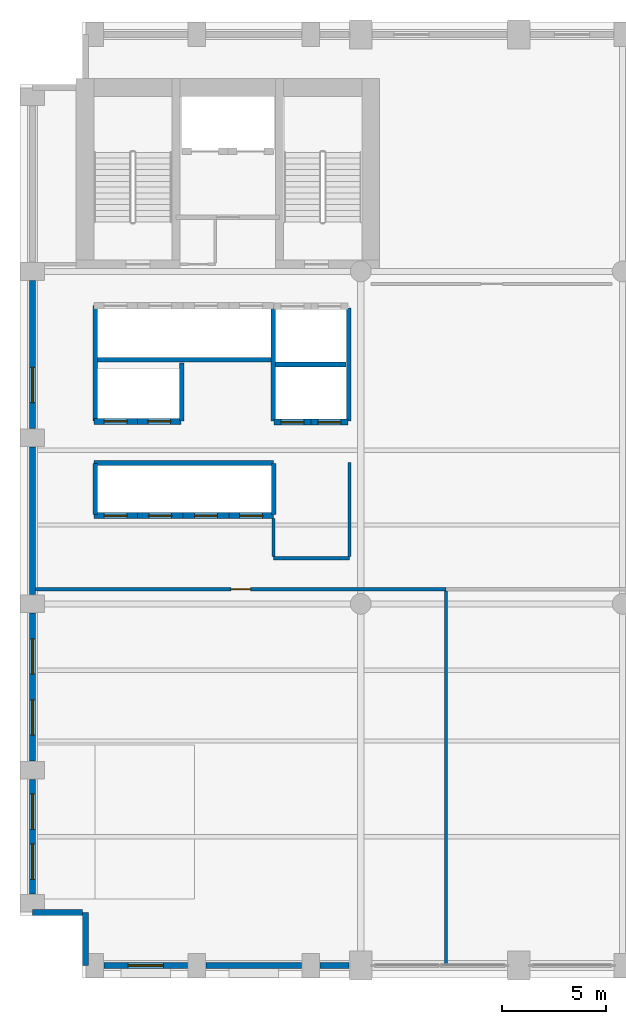
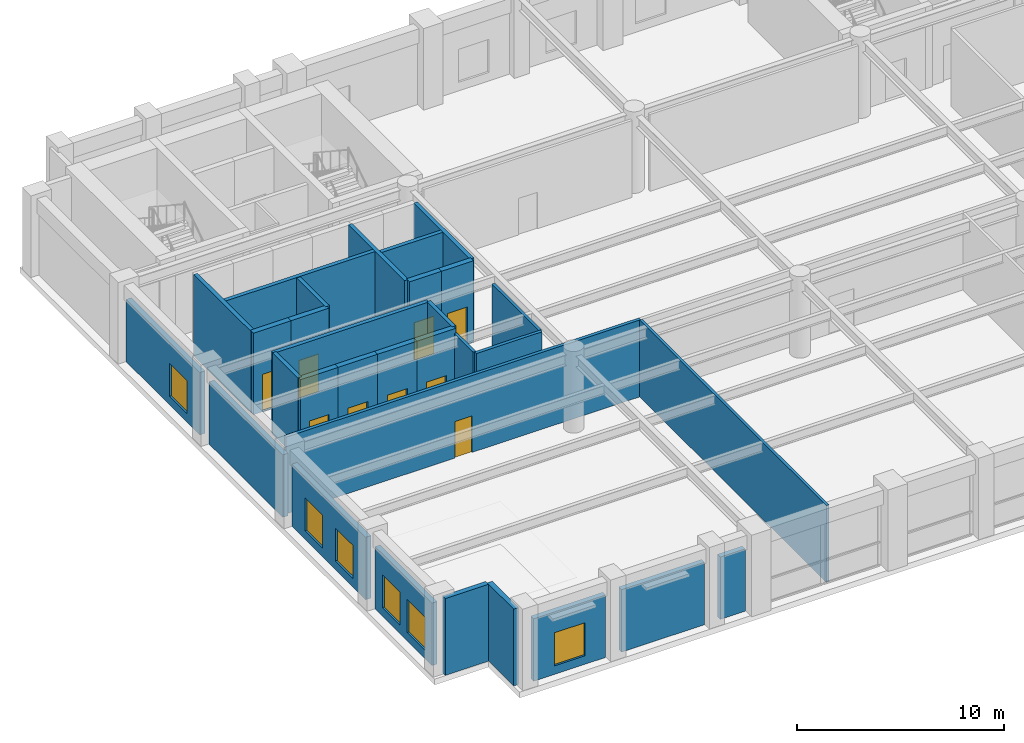
# One storey, part 4 of 10: 31 walls, 9 doors, 6 windows, 15 openings.
"""IFC4 building model written with IfcOpenShell, lengths in metres."""

from ifc_helpers import new_model, si_unit, direction, frame, frame_2d, origin, place, context, subcontext, project, spatial, rectangle, extrude, material, layer, layer_set, type_object, element, fill, save


model = new_model("IFC4")

# Units and contexts
model_context = context("Model", 3, precision=1e-05, world=origin(), true_north=direction((0.0, 1.0)))
body_context = subcontext(model_context, "Body", "Model", "MODEL_VIEW")
ifc_project = project(units=[si_unit("LENGTHUNIT", "METRE"), si_unit("AREAUNIT", "SQUARE_METRE"), si_unit("VOLUMEUNIT", "CUBIC_METRE"), si_unit("PLANEANGLEUNIT", "RADIAN"), si_unit("MASSUNIT", "GRAM", prefix="KILO")], contexts=[model_context])

# Site, building, storey
site_placement = place(None, origin())
site = spatial("IfcSite", under=ifc_project, at=site_placement, CompositionType="ELEMENT")
building_placement = place(site_placement, origin())
building = spatial("IfcBuilding", under=site, at=building_placement, Name="Sulina Concourse Tower", CompositionType="ELEMENT")
storey_placement = place(building_placement, frame((0.0, 0.0, 87.800048828125)))
storey = spatial("IfcBuildingStorey", under=building, at=storey_placement, Name="L21", CompositionType="ELEMENT", Elevation=87.800048828125)

# Walls
ifc_material_1 = material(Name="Concrete C50/60", Category="concrete")
ifc_layer_1 = layer(ifc_material_1, 0.219970703125)
ifc_layer_set_1 = layer_set([ifc_layer_1], Name="Concrete C50/60")
wall_type_1 = type_object("IfcWallType", Name="Core Lift Hoistway Divider Wall 220mm", PredefinedType="SOLIDWALL", material=ifc_layer_set_1)
wall_1_placement = place(storey_placement, frame((3.550048828125, 29.75, 0.0), z_axis=(0.0, 0.0, 1.0), x_axis=(1.0, 0.0, 0.0)))
element("IfcWall", 1, at=wall_1_placement, inside=storey, type_object=wall_type_1, Name="L21 shaft divider wall HW-LP3-S", PredefinedType="SOLIDWALL", context=body_context, shape_type="SweptSolid", body=[
    extrude(rectangle(XDim=8.64990234375, YDim=0.219970703125, at=frame_2d((4.324951171875, 0.0))), origin(), (0.0, 0.0, 1.0), 4.800048828125),
])
wall_2_placement = place(storey_placement, frame((3.6298828125, 26.800048828125, 0.0), z_axis=(0.0, 0.0, 1.0), x_axis=(0.0, 1.0, 0.0)))
element("IfcWall", 2, at=wall_2_placement, inside=storey, type_object=wall_type_1, Name="L21 shaft divider wall HW-LP3-W", PredefinedType="SOLIDWALL", context=body_context, shape_type="SweptSolid", body=[
    extrude(rectangle(XDim=5.550048828125, YDim=0.219970703125, at=frame_2d((2.77490234375, 0.0))), origin(), (0.0, 0.0, 1.0), 4.800048828125),
])
wall_3_placement = place(storey_placement, frame((7.780029296875, 26.800048828125, 0.0), z_axis=(0.0, 0.0, 1.0), x_axis=(0.0, 1.0, 0.0)))
element("IfcWall", 3, at=wall_3_placement, inside=storey, type_object=wall_type_1, Name="L21 shaft divider wall HW-EXP-E", PredefinedType="SOLIDWALL", context=body_context, shape_type="SweptSolid", body=[
    extrude(rectangle(XDim=2.800048828125, YDim=0.219970703125, at=frame_2d((1.39990234375, 0.0))), origin(), (0.0, 0.0, 1.0), 4.800048828125),
])
for number, where, z_axis, x_axis, name in (
    (4, (12.179931640625, 26.800048828125, 0.0), (0.0, 0.0, 1.0), (0.0, 1.0, 0.0), "L21 shaft divider wall HW-LP2-W"),
    (5, (15.820068359375, 26.800048828125, 0.0), (0.0, 0.0, 1.0), (0.0, 1.0, 0.0), "L21 shaft divider wall HW-LP2-E"),
):
    element("IfcWall", number, at=place(storey_placement, frame(where, z_axis=z_axis, x_axis=x_axis)), inside=storey, type_object=wall_type_1, Name=name, PredefinedType="SOLIDWALL", context=body_context, shape_type="SweptSolid", body=[
        extrude(rectangle(XDim=5.449951171875, YDim=0.219970703125, at=frame_2d((2.72509765625, 0.0))), origin(), (0.0, 0.0, 1.0), 4.800048828125),
    ])
wall_4_placement = place(storey_placement, frame((12.300048828125, 29.52001953125, 0.0), z_axis=(0.0, 0.0, 1.0), x_axis=(1.0, 0.0, 0.0)))
element("IfcWall", 6, at=wall_4_placement, inside=storey, type_object=wall_type_1, Name="L21 shaft divider wall HW-LP2-M", PredefinedType="SOLIDWALL", context=body_context, shape_type="SweptSolid", body=[
    extrude(rectangle(XDim=3.39990234375, YDim=0.219970703125, at=frame_2d((1.699951171875, 0.0))), origin(), (0.0, 0.0, 1.0), 4.800048828125),
])
wall_5_placement = place(storey_placement, frame((3.550048828125, 24.780029296875, 0.0), z_axis=(0.0, 0.0, 1.0), x_axis=(1.0, 0.0, 0.0)))
element("IfcWall", 7, at=wall_5_placement, inside=storey, type_object=wall_type_1, Name="L21 shaft divider wall HW-LP1-N", PredefinedType="SOLIDWALL", context=body_context, shape_type="SweptSolid", body=[
    extrude(rectangle(XDim=8.64990234375, YDim=0.219970703125, at=frame_2d((4.324951171875, 0.0))), origin(), (0.0, 0.0, 1.0), 4.800048828125),
])
for number, where, z_axis, x_axis, name in (
    (8, (3.6298828125, 22.300048828125, 0.0), (0.0, 0.0, 1.0), (0.0, 1.0, 0.0), "L21 shaft divider wall HW-LP1-W"),
    (9, (12.219970703125, 22.300048828125, 0.0), (0.0, 0.0, 1.0), (0.0, 1.0, 0.0), "L21 shaft divider wall HW-LP1-E"),
):
    element("IfcWall", number, at=place(storey_placement, frame(where, z_axis=z_axis, x_axis=x_axis)), inside=storey, type_object=wall_type_1, Name=name, PredefinedType="SOLIDWALL", context=body_context, shape_type="SweptSolid", body=[
        extrude(rectangle(XDim=2.449951171875, YDim=0.219970703125, at=frame_2d((1.22509765625, 0.0))), origin(), (0.0, 0.0, 1.0), 4.800048828125),
    ])

# Wall, opening, door
ifc_material_2 = material(Name="Concrete C50/60", Category="concrete")
ifc_layer_2 = layer(ifc_material_2, 0.300048828125)
ifc_layer_set_2 = layer_set([ifc_layer_2], Name="Concrete C50/60")
wall_type_2 = type_object("IfcWallType", Name="Core Lift Hoistway Wall 300mm", PredefinedType="SOLIDWALL", material=ifc_layer_set_2)
wall_6_placement = place(storey_placement, frame((5.64990234375, 22.25, 0.0), z_axis=(0.0, 0.0, 1.0), x_axis=(-1.0, 0.0, 0.0)))
wall_6 = element("IfcWall", 10, at=wall_6_placement, inside=storey, type_object=wall_type_2, Name="L21 hoistway enclosure wall LP-01", PredefinedType="SOLIDWALL", context=body_context, shape_type="SweptSolid", body=[
    extrude(rectangle(XDim=2.099853515625, YDim=0.300048828125, at=frame_2d((1.0498046875, 0.0))), origin(), (0.0, 0.0, 1.0), 4.800048828125),
])
opening_1_placement = place(wall_6_placement, frame((0.5, 0.0, 0.0)))
opening_1 = element("IfcOpeningElement", 11, at=opening_1_placement, cuts=wall_6, Name="Opening LD-01", PredefinedType="OPENING", context=body_context, shape_type="SweptSolid", body=[
    extrude(rectangle(XDim=1.10009765625, YDim=2.199951171875, at=frame_2d((0.550048828125, 1.10009765625))), frame((0.0, 0.159912109375, 0.0), z_axis=(0.0, -1.0, 0.0), x_axis=(1.0, 0.0, 0.0)), (0.0, 0.0, 1.0), 0.320068359375),
])
ifc_material_3 = material(Name="Stainless steel lift landing door", Category="steel")
ifc_layer_3 = layer(ifc_material_3, 0.050048828125)
ifc_layer_set_3 = layer_set([ifc_layer_3], Name="Stainless steel lift landing door")
door_type_1 = type_object("IfcDoorType", Name="Passenger Lift Sliding Landing Door 1100x2200", OperationType="SLIDING_TO_LEFT", PredefinedType="DOOR", material=ifc_layer_set_3)
door_1_placement = place(opening_1_placement, origin())
door_1 = element("IfcDoor", 12, at=door_1_placement, inside=storey, type_object=door_type_1, Name="L21 lift landing sliding door LP-01", OperationType="SLIDING_TO_LEFT", OverallHeight=2.199951171875, OverallWidth=1.10009765625, PredefinedType="DOOR", context=body_context, shape_type="SweptSolid", body=[
    extrude(rectangle(XDim=1.10009765625, YDim=2.199951171875, at=frame_2d((0.550048828125, 1.10009765625))), frame((0.0, 0.02490234375, 0.0), z_axis=(0.0, -1.0, 0.0), x_axis=(1.0, 0.0, 0.0)), (0.0, 0.0, 1.0), 0.050048828125),
])
fill(opening_1, door_1)

wall_7_placement = place(storey_placement, frame((7.85009765625, 22.25, 0.0), z_axis=(0.0, 0.0, 1.0), x_axis=(-1.0, 0.0, 0.0)))
wall_7 = element("IfcWall", 13, at=wall_7_placement, inside=storey, type_object=wall_type_2, Name="L21 hoistway enclosure wall LP-02", PredefinedType="SOLIDWALL", context=body_context, shape_type="SweptSolid", body=[
    extrude(rectangle(XDim=2.2001953125, YDim=0.300048828125, at=frame_2d((1.10009765625, 0.0))), origin(), (0.0, 0.0, 1.0), 4.800048828125),
])
opening_2_placement = place(wall_7_placement, frame((0.550048828125, 0.0, 0.0)))
opening_2 = element("IfcOpeningElement", 14, at=opening_2_placement, cuts=wall_7, Name="Opening LD-01", PredefinedType="OPENING", context=body_context, shape_type="SweptSolid", body=[
    extrude(rectangle(XDim=1.10009765625, YDim=2.199951171875, at=frame_2d((0.550048828125, 1.10009765625))), frame((0.0, 0.159912109375, 0.0), z_axis=(0.0, -1.0, 0.0), x_axis=(1.0, 0.0, 0.0)), (0.0, 0.0, 1.0), 0.320068359375),
])
door_2_placement = place(opening_2_placement, origin())
door_2 = element("IfcDoor", 15, at=door_2_placement, inside=storey, type_object=door_type_1, Name="L21 lift landing sliding door LP-02", OperationType="SLIDING_TO_RIGHT", OverallHeight=2.199951171875, OverallWidth=1.10009765625, PredefinedType="DOOR", context=body_context, shape_type="SweptSolid", body=[
    extrude(rectangle(XDim=1.10009765625, YDim=2.199951171875, at=frame_2d((0.550048828125, 1.10009765625))), frame((0.0, 0.02490234375, 0.0), z_axis=(0.0, -1.0, 0.0), x_axis=(1.0, 0.0, 0.0)), (0.0, 0.0, 1.0), 0.050048828125),
])
fill(opening_2, door_2)

wall_8_placement = place(storey_placement, frame((10.050048828125, 22.25, 0.0), z_axis=(0.0, 0.0, 1.0), x_axis=(-1.0, 0.0, 0.0)))
wall_8 = element("IfcWall", 16, at=wall_8_placement, inside=storey, type_object=wall_type_2, Name="L21 hoistway enclosure wall LP-03", PredefinedType="SOLIDWALL", context=body_context, shape_type="SweptSolid", body=[
    extrude(rectangle(XDim=2.199951171875, YDim=0.300048828125, at=frame_2d((1.10009765625, 0.0))), origin(), (0.0, 0.0, 1.0), 4.800048828125),
])
opening_3_placement = place(wall_8_placement, frame((0.550048828125, 0.0, 0.0)))
opening_3 = element("IfcOpeningElement", 17, at=opening_3_placement, cuts=wall_8, Name="Opening LD-01", PredefinedType="OPENING", context=body_context, shape_type="SweptSolid", body=[
    extrude(rectangle(XDim=1.10009765625, YDim=2.199951171875, at=frame_2d((0.550048828125, 1.10009765625))), frame((0.0, 0.159912109375, 0.0), z_axis=(0.0, -1.0, 0.0), x_axis=(1.0, 0.0, 0.0)), (0.0, 0.0, 1.0), 0.320068359375),
])
door_3_placement = place(opening_3_placement, origin())
door_3 = element("IfcDoor", 18, at=door_3_placement, inside=storey, type_object=door_type_1, Name="L21 lift landing sliding door LP-03", OperationType="SLIDING_TO_LEFT", OverallHeight=2.199951171875, OverallWidth=1.10009765625, PredefinedType="DOOR", context=body_context, shape_type="SweptSolid", body=[
    extrude(rectangle(XDim=1.10009765625, YDim=2.199951171875, at=frame_2d((0.550048828125, 1.10009765625))), frame((0.0, 0.02490234375, 0.0), z_axis=(0.0, -1.0, 0.0), x_axis=(1.0, 0.0, 0.0)), (0.0, 0.0, 1.0), 0.050048828125),
])
fill(opening_3, door_3)

wall_9_placement = place(storey_placement, frame((12.199951171875, 22.25, 0.0), z_axis=(0.0, 0.0, 1.0), x_axis=(-1.0, 0.0, 0.0)))
wall_9 = element("IfcWall", 19, at=wall_9_placement, inside=storey, type_object=wall_type_2, Name="L21 hoistway enclosure wall LP-04", PredefinedType="SOLIDWALL", context=body_context, shape_type="SweptSolid", body=[
    extrude(rectangle(XDim=2.14990234375, YDim=0.300048828125, at=frame_2d((1.074951171875, 0.0))), origin(), (0.0, 0.0, 1.0), 4.800048828125),
])
opening_4_placement = place(wall_9_placement, frame((0.52490234375, 0.0, 0.0)))
opening_4 = element("IfcOpeningElement", 20, at=opening_4_placement, cuts=wall_9, Name="Opening LD-01", PredefinedType="OPENING", context=body_context, shape_type="SweptSolid", body=[
    extrude(rectangle(XDim=1.10009765625, YDim=2.199951171875, at=frame_2d((0.550048828125, 1.10009765625))), frame((0.0, 0.159912109375, 0.0), z_axis=(0.0, -1.0, 0.0), x_axis=(1.0, 0.0, 0.0)), (0.0, 0.0, 1.0), 0.320068359375),
])
door_4_placement = place(opening_4_placement, origin())
door_4 = element("IfcDoor", 21, at=door_4_placement, inside=storey, type_object=door_type_1, Name="L21 lift landing sliding door LP-04", OperationType="SLIDING_TO_RIGHT", OverallHeight=2.199951171875, OverallWidth=1.10009765625, PredefinedType="DOOR", context=body_context, shape_type="SweptSolid", body=[
    extrude(rectangle(XDim=1.10009765625, YDim=2.199951171875, at=frame_2d((0.550048828125, 1.10009765625))), frame((0.0, 0.02490234375, 0.0), z_axis=(0.0, -1.0, 0.0), x_axis=(1.0, 0.0, 0.0)), (0.0, 0.0, 1.0), 0.050048828125),
])
fill(opening_4, door_4)

wall_10_placement = place(storey_placement, frame((14.0, 26.75, 0.0), z_axis=(0.0, 0.0, 1.0), x_axis=(-1.0, 0.0, 0.0)))
wall_10 = element("IfcWall", 22, at=wall_10_placement, inside=storey, type_object=wall_type_2, Name="L21 hoistway enclosure wall LP-05", PredefinedType="SOLIDWALL", context=body_context, shape_type="SweptSolid", body=[
    extrude(rectangle(XDim=1.780029296875, YDim=0.300048828125, at=frame_2d((0.89013671875, 0.0))), origin(), (0.0, 0.0, 1.0), 4.800048828125),
])
opening_5_placement = place(wall_10_placement, frame((0.340087890625, 0.0, 0.0)))
opening_5 = element("IfcOpeningElement", 23, at=opening_5_placement, cuts=wall_10, Name="Opening LD-01", PredefinedType="OPENING", context=body_context, shape_type="SweptSolid", body=[
    extrude(rectangle(XDim=1.10009765625, YDim=2.199951171875, at=frame_2d((0.550048828125, 1.10009765625))), frame((0.0, 0.159912109375, 0.0), z_axis=(0.0, -1.0, 0.0), x_axis=(1.0, 0.0, 0.0)), (0.0, 0.0, 1.0), 0.320068359375),
])
door_5_placement = place(opening_5_placement, origin())
door_5 = element("IfcDoor", 24, at=door_5_placement, inside=storey, type_object=door_type_1, Name="L21 lift landing sliding door LP-05", OperationType="SLIDING_TO_LEFT", OverallHeight=2.199951171875, OverallWidth=1.10009765625, PredefinedType="DOOR", context=body_context, shape_type="SweptSolid", body=[
    extrude(rectangle(XDim=1.10009765625, YDim=2.199951171875, at=frame_2d((0.550048828125, 1.10009765625))), frame((0.0, 0.02490234375, 0.0), z_axis=(0.0, -1.0, 0.0), x_axis=(1.0, 0.0, 0.0)), (0.0, 0.0, 1.0), 0.050048828125),
])
fill(opening_5, door_5)

wall_11_placement = place(storey_placement, frame((15.780029296875, 26.75, 0.0), z_axis=(0.0, 0.0, 1.0), x_axis=(-1.0, 0.0, 0.0)))
wall_11 = element("IfcWall", 25, at=wall_11_placement, inside=storey, type_object=wall_type_2, Name="L21 hoistway enclosure wall LP-06", PredefinedType="SOLIDWALL", context=body_context, shape_type="SweptSolid", body=[
    extrude(rectangle(XDim=1.780029296875, YDim=0.300048828125, at=frame_2d((0.89013671875, 0.0))), origin(), (0.0, 0.0, 1.0), 4.800048828125),
])
opening_6_placement = place(wall_11_placement, frame((0.340087890625, 0.0, 0.0)))
opening_6 = element("IfcOpeningElement", 26, at=opening_6_placement, cuts=wall_11, Name="Opening LD-01", PredefinedType="OPENING", context=body_context, shape_type="SweptSolid", body=[
    extrude(rectangle(XDim=1.10009765625, YDim=2.199951171875, at=frame_2d((0.550048828125, 1.10009765625))), frame((0.0, 0.159912109375, 0.0), z_axis=(0.0, -1.0, 0.0), x_axis=(1.0, 0.0, 0.0)), (0.0, 0.0, 1.0), 0.320068359375),
])
door_6_placement = place(opening_6_placement, origin())
door_6 = element("IfcDoor", 27, at=door_6_placement, inside=storey, type_object=door_type_1, Name="L21 lift landing sliding door LP-06", OperationType="SLIDING_TO_RIGHT", OverallHeight=2.199951171875, OverallWidth=1.10009765625, PredefinedType="DOOR", context=body_context, shape_type="SweptSolid", body=[
    extrude(rectangle(XDim=1.10009765625, YDim=2.199951171875, at=frame_2d((0.550048828125, 1.10009765625))), frame((0.0, 0.02490234375, 0.0), z_axis=(0.0, -1.0, 0.0), x_axis=(1.0, 0.0, 0.0)), (0.0, 0.0, 1.0), 0.050048828125),
])
fill(opening_6, door_6)

wall_12_placement = place(storey_placement, frame((5.64990234375, 26.780029296875, 0.0), z_axis=(0.0, 0.0, 1.0), x_axis=(-1.0, 0.0, 0.0)))
wall_12 = element("IfcWall", 28, at=wall_12_placement, inside=storey, type_object=wall_type_2, Name="L21 hoistway enclosure wall EXP-1", PredefinedType="SOLIDWALL", context=body_context, shape_type="SweptSolid", body=[
    extrude(rectangle(XDim=2.099853515625, YDim=0.300048828125, at=frame_2d((1.0498046875, 0.0))), origin(), (0.0, 0.0, 1.0), 4.800048828125),
])
opening_7_placement = place(wall_12_placement, frame((0.5, 0.0, 0.0)))
opening_7 = element("IfcOpeningElement", 29, at=opening_7_placement, cuts=wall_12, Name="Opening LD-01", PredefinedType="OPENING", context=body_context, shape_type="SweptSolid", body=[
    extrude(rectangle(XDim=1.10009765625, YDim=2.199951171875, at=frame_2d((0.550048828125, 1.10009765625))), frame((0.0, 0.159912109375, 0.0), z_axis=(0.0, -1.0, 0.0), x_axis=(1.0, 0.0, 0.0)), (0.0, 0.0, 1.0), 0.320068359375),
])
door_7_placement = place(opening_7_placement, origin())
door_7 = element("IfcDoor", 30, at=door_7_placement, inside=storey, type_object=door_type_1, Name="L21 lift landing sliding door EXP-1", OperationType="SLIDING_TO_LEFT", OverallHeight=2.199951171875, OverallWidth=1.10009765625, PredefinedType="DOOR", context=body_context, shape_type="SweptSolid", body=[
    extrude(rectangle(XDim=1.10009765625, YDim=2.199951171875, at=frame_2d((0.550048828125, 1.10009765625))), frame((0.0, 0.02490234375, 0.0), z_axis=(0.0, -1.0, 0.0), x_axis=(1.0, 0.0, 0.0)), (0.0, 0.0, 1.0), 0.050048828125),
])
fill(opening_7, door_7)

wall_13_placement = place(storey_placement, frame((7.75, 26.780029296875, 0.0), z_axis=(0.0, 0.0, 1.0), x_axis=(-1.0, 0.0, 0.0)))
wall_13 = element("IfcWall", 31, at=wall_13_placement, inside=storey, type_object=wall_type_2, Name="L21 hoistway enclosure wall EXP-2", PredefinedType="SOLIDWALL", context=body_context, shape_type="SweptSolid", body=[
    extrude(rectangle(XDim=2.10009765625, YDim=0.300048828125, at=frame_2d((1.050048828125, 0.0))), origin(), (0.0, 0.0, 1.0), 4.800048828125),
])
opening_8_placement = place(wall_13_placement, frame((0.5, 0.0, 0.0)))
opening_8 = element("IfcOpeningElement", 32, at=opening_8_placement, cuts=wall_13, Name="Opening LD-01", PredefinedType="OPENING", context=body_context, shape_type="SweptSolid", body=[
    extrude(rectangle(XDim=1.10009765625, YDim=2.199951171875, at=frame_2d((0.550048828125, 1.10009765625))), frame((0.0, 0.159912109375, 0.0), z_axis=(0.0, -1.0, 0.0), x_axis=(1.0, 0.0, 0.0)), (0.0, 0.0, 1.0), 0.320068359375),
])
door_8_placement = place(opening_8_placement, origin())
door_8 = element("IfcDoor", 33, at=door_8_placement, inside=storey, type_object=door_type_1, Name="L21 lift landing sliding door EXP-2", OperationType="SLIDING_TO_RIGHT", OverallHeight=2.199951171875, OverallWidth=1.10009765625, PredefinedType="DOOR", context=body_context, shape_type="SweptSolid", body=[
    extrude(rectangle(XDim=1.10009765625, YDim=2.199951171875, at=frame_2d((0.550048828125, 1.10009765625))), frame((0.0, 0.02490234375, 0.0), z_axis=(0.0, -1.0, 0.0), x_axis=(1.0, 0.0, 0.0)), (0.0, 0.0, 1.0), 0.050048828125),
])
fill(opening_8, door_8)

# Walls
ifc_material_4 = material(Name="Gypsum board on steel stud", Category="steel")
ifc_layer_4 = layer(ifc_material_4, 0.14990234375)
ifc_layer_set_4 = layer_set([ifc_layer_4], Name="Gypsum board on steel stud")
wall_type_3 = type_object("IfcWallType", Name="Inter-Tenancy Acoustic Partition 150mm", PredefinedType="PARTITIONING", material=ifc_layer_set_4)
wall_14_placement = place(storey_placement, frame((12.199951171875, 20.2900390625, 0.0), z_axis=(0.0, 0.0, 1.0), x_axis=(0.0, 1.0, 0.0)))
element("IfcWall", 34, at=wall_14_placement, inside=storey, type_object=wall_type_3, Name="L21 interior partition 017", PredefinedType="PARTITIONING", context=body_context, shape_type="SweptSolid", body=[
    extrude(rectangle(XDim=1.81005859375, YDim=0.14990234375, at=frame_2d((0.905029296875, 0.0))), origin(), (0.0, 0.0, 1.0), 4.52490234375),
])
wall_15_placement = place(storey_placement, frame((15.85009765625, 20.2900390625, 0.0), z_axis=(0.0, 0.0, 1.0), x_axis=(0.0, 1.0, 0.0)))
element("IfcWall", 35, at=wall_15_placement, inside=storey, type_object=wall_type_3, Name="L21 interior partition 018", PredefinedType="PARTITIONING", context=body_context, shape_type="SweptSolid", body=[
    extrude(rectangle(XDim=4.510009765625, YDim=0.14990234375, at=frame_2d((2.2548828125, 0.0))), origin(), (0.0, 0.0, 1.0), 4.52490234375),
])
wall_16_placement = place(storey_placement, frame((20.5, 0.60009765625, 0.0), z_axis=(0.0, 0.0, 1.0), x_axis=(0.0, 1.0, 0.0)))
element("IfcWall", 36, at=wall_16_placement, inside=storey, type_object=wall_type_3, Name="L21 interior partition 019", PredefinedType="PARTITIONING", context=body_context, shape_type="SweptSolid", body=[
    extrude(rectangle(XDim=18.010009765625, YDim=0.14990234375, at=frame_2d((9.0048828125, 0.0))), origin(), (0.0, 0.0, 1.0), 4.52490234375),
])

# Wall, opening, door
ifc_material_5 = material(Name="Gypsum board on steel stud", Category="steel")
ifc_layer_5 = layer(ifc_material_5, 0.179931640625)
ifc_layer_set_5 = layer_set([ifc_layer_5], Name="Gypsum board on steel stud")
wall_type_4 = type_object("IfcWallType", Name="Protected Corridor & Riser Partition 180mm", PredefinedType="PARTITIONING", material=ifc_layer_set_5)
wall_17_placement = place(storey_placement, frame((0.739990234375, 18.699951171875, 0.0), z_axis=(0.0, 0.0, 1.0), x_axis=(1.0, 0.0, 0.0)))
wall_17 = element("IfcWall", 37, at=wall_17_placement, inside=storey, type_object=wall_type_4, Name="L21 interior partition 001", PredefinedType="PARTITIONING", context=body_context, shape_type="SweptSolid", body=[
    extrude(rectangle(XDim=19.760009765625, YDim=0.179931640625, at=frame_2d((9.8798828125, 0.0))), origin(), (0.0, 0.0, 1.0), 4.52490234375),
])
opening_9_placement = place(wall_17_placement, frame((9.405029296875, 0.0, 0.0)))
opening_9 = element("IfcOpeningElement", 38, at=opening_9_placement, cuts=wall_17, Name="Opening DR-19", PredefinedType="OPENING", context=body_context, shape_type="SweptSolid", body=[
    extrude(rectangle(XDim=0.949951171875, YDim=2.14990234375, at=frame_2d((0.47509765625, 1.074951171875))), frame((0.0, 0.099853515625, 0.0), z_axis=(0.0, -1.0, 0.0), x_axis=(1.0, 0.0, 0.0)), (0.0, 0.0, 1.0), 0.199951171875),
])
ifc_material_6 = material(Name="Oak-veneered acoustic timber leaf", Category="wood")
ifc_layer_6 = layer(ifc_material_6, 0.050048828125)
ifc_layer_set_6 = layer_set([ifc_layer_6], Name="Oak-veneered acoustic timber leaf")
door_type_2 = type_object("IfcDoorType", Name="Cellular Office & Meeting Door 950x2150", OperationType="NOTDEFINED", PredefinedType="DOOR", material=ifc_layer_set_6)
door_9_placement = place(opening_9_placement, origin())
door_9 = element("IfcDoor", 39, at=door_9_placement, inside=storey, type_object=door_type_2, Name="L21 interior door L21-CAF-SL", OperationType="SINGLE_SWING_RIGHT", OverallHeight=2.14990234375, OverallWidth=0.949951171875, PredefinedType="DOOR", context=body_context, shape_type="SweptSolid", body=[
    extrude(rectangle(XDim=0.949951171875, YDim=2.14990234375, at=frame_2d((0.47509765625, 1.074951171875))), frame((0.0, 0.02490234375, 0.0), z_axis=(0.0, -1.0, 0.0), x_axis=(1.0, 0.0, 0.0)), (0.0, 0.0, 1.0), 0.050048828125),
])
fill(opening_9, door_9)

# Wall
wall_18_placement = place(storey_placement, frame((12.199951171875, 20.199951171875, 0.0), z_axis=(0.0, 0.0, 1.0), x_axis=(1.0, 0.0, 0.0)))
element("IfcWall", 40, at=wall_18_placement, inside=storey, type_object=wall_type_4, Name="L21 interior partition 005", PredefinedType="PARTITIONING", context=body_context, shape_type="SweptSolid", body=[
    extrude(rectangle(XDim=3.650146484375, YDim=0.179931640625, at=frame_2d((1.8251953125, 0.0))), origin(), (0.0, 0.0, 1.0), 4.52490234375),
])

# Wall, opening, window
ifc_material_7 = material(Name="Precast concrete C50/60", Category="concrete")
ifc_layer_7 = layer(ifc_material_7, 0.280029296875)
ifc_layer_set_7 = layer_set([ifc_layer_7], Name="Precast concrete C50/60")
wall_type_5 = type_object("IfcWallType", Name="Typical Precast Masonry-Frame Facade Wall 280mm", PredefinedType="SOLIDWALL", material=ifc_layer_set_7)
wall_19_placement = place(storey_placement, frame((8.054931640625, 0.60009765625, 0.0), z_axis=(0.0, 0.0, 1.0), x_axis=(-1.0, 0.0, 0.0)))
wall_19 = element("IfcWall", 41, at=wall_19_placement, inside=storey, type_object=wall_type_5, Name="L21 exterior precast wall S1", PredefinedType="SOLIDWALL", context=body_context, shape_type="SweptSolid", body=[
    extrude(rectangle(XDim=4.010009765625, YDim=0.280029296875, at=frame_2d((2.0048828125, 0.0))), origin(), (0.0, 0.0, 1.0), 3.675048828125),
])
opening_10_placement = place(wall_19_placement, frame((1.155029296875, 0.0, 0.5)))
opening_10 = element("IfcOpeningElement", 42, at=opening_10_placement, cuts=wall_19, Name="Opening WN-66", PredefinedType="OPENING", context=body_context, shape_type="SweptSolid", body=[
    extrude(rectangle(XDim=1.699951171875, YDim=1.949951171875, at=frame_2d((0.85009765625, 0.97509765625))), frame((0.0, 0.14990234375, 0.0), z_axis=(0.0, -1.0, 0.0), x_axis=(1.0, 0.0, 0.0)), (0.0, 0.0, 1.0), 0.300048828125),
])
ifc_material_8 = material(Name="Low-E solar double glazing in bronze aluminium", Category="aluminium")
window_type = type_object("IfcWindowType", Name="Recessed Spandrel Window 1700x1950", PartitioningType="SINGLE_PANEL", PredefinedType="WINDOW", material=ifc_material_8)
window_1_placement = place(opening_10_placement, origin())
window_1 = element("IfcWindow", 43, at=window_1_placement, inside=storey, type_object=window_type, Name="L21 punched window S1-1", OverallHeight=1.949951171875, OverallWidth=1.699951171875, PartitioningType="SINGLE_PANEL", PredefinedType="WINDOW", context=body_context, shape_type="SweptSolid", body=[
    extrude(rectangle(XDim=1.699951171875, YDim=1.949951171875, at=frame_2d((0.85009765625, 0.97509765625))), frame((0.0, 0.030029296875, 0.0), z_axis=(0.0, -1.0, 0.0), x_axis=(1.0, 0.0, 0.0)), (0.0, 0.0, 1.0), 0.06005859375),
])
fill(opening_10, window_1)

# Walls
wall_20_placement = place(storey_placement, frame((13.554931640625, 0.60009765625, 0.0), z_axis=(0.0, 0.0, 1.0), x_axis=(-1.0, 0.0, 0.0)))
element("IfcWall", 44, at=wall_20_placement, inside=storey, type_object=wall_type_5, Name="L21 exterior precast wall S2", PredefinedType="SOLIDWALL", context=body_context, shape_type="SweptSolid", body=[
    extrude(rectangle(XDim=4.60986328125, YDim=0.280029296875, at=frame_2d((2.304931640625, 0.0))), origin(), (0.0, 0.0, 1.0), 3.675048828125),
])
wall_21_placement = place(storey_placement, frame((15.830078125, 0.60009765625, 0.0), z_axis=(0.0, 0.0, 1.0), x_axis=(-1.0, 0.0, 0.0)))
element("IfcWall", 45, at=wall_21_placement, inside=storey, type_object=wall_type_5, Name="L21 exterior precast wall S3", PredefinedType="SOLIDWALL", context=body_context, shape_type="SweptSolid", body=[
    extrude(rectangle(XDim=1.385009765625, YDim=0.280029296875, at=frame_2d((0.6923828125, 0.0))), origin(), (0.0, 0.0, 1.0), 3.675048828125),
])

# Wall, openings, windows
wall_22_placement = place(storey_placement, frame((0.60009765625, 4.044921875, 0.0), z_axis=(0.0, 0.0, 1.0), x_axis=(0.0, 1.0, 0.0)))
wall_22 = element("IfcWall", 46, at=wall_22_placement, inside=storey, type_object=wall_type_5, Name="L21 exterior precast wall W1", PredefinedType="SOLIDWALL", context=body_context, shape_type="SweptSolid", body=[
    extrude(rectangle(XDim=5.510009765625, YDim=0.280029296875, at=frame_2d((2.7548828125, 0.0))), origin(), (0.0, 0.0, 1.0), 3.675048828125),
])
opening_11_placement = place(wall_22_placement, frame((0.703369140625, 0.0, 0.5)))
opening_11 = element("IfcOpeningElement", 47, at=opening_11_placement, cuts=wall_22, Name="Opening WN-66", PredefinedType="OPENING", context=body_context, shape_type="SweptSolid", body=[
    extrude(rectangle(XDim=1.699951171875, YDim=1.949951171875, at=frame_2d((0.85009765625, 0.97509765625))), frame((0.0, 0.14990234375, 0.0), z_axis=(0.0, -1.0, 0.0), x_axis=(1.0, 0.0, 0.0)), (0.0, 0.0, 1.0), 0.300048828125),
])
opening_12_placement = place(wall_22_placement, frame((3.106689453125, 0.0, 0.5)))
opening_12 = element("IfcOpeningElement", 48, at=opening_12_placement, cuts=wall_22, Name="Opening WN-66", PredefinedType="OPENING", context=body_context, shape_type="SweptSolid", body=[
    extrude(rectangle(XDim=1.699951171875, YDim=1.949951171875, at=frame_2d((0.85009765625, 0.97509765625))), frame((0.0, 0.14990234375, 0.0), z_axis=(0.0, -1.0, 0.0), x_axis=(1.0, 0.0, 0.0)), (0.0, 0.0, 1.0), 0.300048828125),
])
window_2_placement = place(opening_11_placement, origin())
window_2 = element("IfcWindow", 49, at=window_2_placement, inside=storey, type_object=window_type, Name="L21 punched window W1-1", OverallHeight=1.949951171875, OverallWidth=1.699951171875, PartitioningType="SINGLE_PANEL", PredefinedType="WINDOW", context=body_context, shape_type="SweptSolid", body=[
    extrude(rectangle(XDim=1.699951171875, YDim=1.949951171875, at=frame_2d((0.85009765625, 0.97509765625))), frame((0.0, 0.030029296875, 0.0), z_axis=(0.0, -1.0, 0.0), x_axis=(1.0, 0.0, 0.0)), (0.0, 0.0, 1.0), 0.06005859375),
])
fill(opening_11, window_2)
window_3_placement = place(opening_12_placement, origin())
window_3 = element("IfcWindow", 50, at=window_3_placement, inside=storey, type_object=window_type, Name="L21 punched window W1-2", OverallHeight=1.949951171875, OverallWidth=1.699951171875, PartitioningType="SINGLE_PANEL", PredefinedType="WINDOW", context=body_context, shape_type="SweptSolid", body=[
    extrude(rectangle(XDim=1.699951171875, YDim=1.949951171875, at=frame_2d((0.85009765625, 0.97509765625))), frame((0.0, 0.030029296875, 0.0), z_axis=(0.0, -1.0, 0.0), x_axis=(1.0, 0.0, 0.0)), (0.0, 0.0, 1.0), 0.06005859375),
])
fill(opening_12, window_3)

wall_23_placement = place(storey_placement, frame((0.60009765625, 10.445068359375, 0.0), z_axis=(0.0, 0.0, 1.0), x_axis=(0.0, 1.0, 0.0)))
wall_23 = element("IfcWall", 51, at=wall_23_placement, inside=storey, type_object=wall_type_5, Name="L21 exterior precast wall W2", PredefinedType="SOLIDWALL", context=body_context, shape_type="SweptSolid", body=[
    extrude(rectangle(XDim=7.10986328125, YDim=0.280029296875, at=frame_2d((3.554931640625, 0.0))), origin(), (0.0, 0.0, 1.0), 3.675048828125),
])
opening_13_placement = place(wall_23_placement, frame((1.23681640625, 0.0, 0.5)))
opening_13 = element("IfcOpeningElement", 52, at=opening_13_placement, cuts=wall_23, Name="Opening WN-66", PredefinedType="OPENING", context=body_context, shape_type="SweptSolid", body=[
    extrude(rectangle(XDim=1.699951171875, YDim=1.949951171875, at=frame_2d((0.85009765625, 0.97509765625))), frame((0.0, 0.14990234375, 0.0), z_axis=(0.0, -1.0, 0.0), x_axis=(1.0, 0.0, 0.0)), (0.0, 0.0, 1.0), 0.300048828125),
])
opening_14_placement = place(wall_23_placement, frame((4.17333984375, 0.0, 0.5)))
opening_14 = element("IfcOpeningElement", 53, at=opening_14_placement, cuts=wall_23, Name="Opening WN-66", PredefinedType="OPENING", context=body_context, shape_type="SweptSolid", body=[
    extrude(rectangle(XDim=1.699951171875, YDim=1.949951171875, at=frame_2d((0.85009765625, 0.97509765625))), frame((0.0, 0.14990234375, 0.0), z_axis=(0.0, -1.0, 0.0), x_axis=(1.0, 0.0, 0.0)), (0.0, 0.0, 1.0), 0.300048828125),
])
window_4_placement = place(opening_13_placement, origin())
window_4 = element("IfcWindow", 54, at=window_4_placement, inside=storey, type_object=window_type, Name="L21 punched window W2-1", OverallHeight=1.949951171875, OverallWidth=1.699951171875, PartitioningType="SINGLE_PANEL", PredefinedType="WINDOW", context=body_context, shape_type="SweptSolid", body=[
    extrude(rectangle(XDim=1.699951171875, YDim=1.949951171875, at=frame_2d((0.85009765625, 0.97509765625))), frame((0.0, 0.030029296875, 0.0), z_axis=(0.0, -1.0, 0.0), x_axis=(1.0, 0.0, 0.0)), (0.0, 0.0, 1.0), 0.06005859375),
])
fill(opening_13, window_4)
window_5_placement = place(opening_14_placement, origin())
window_5 = element("IfcWindow", 55, at=window_5_placement, inside=storey, type_object=window_type, Name="L21 punched window W2-2", OverallHeight=1.949951171875, OverallWidth=1.699951171875, PartitioningType="SINGLE_PANEL", PredefinedType="WINDOW", context=body_context, shape_type="SweptSolid", body=[
    extrude(rectangle(XDim=1.699951171875, YDim=1.949951171875, at=frame_2d((0.85009765625, 0.97509765625))), frame((0.0, 0.030029296875, 0.0), z_axis=(0.0, -1.0, 0.0), x_axis=(1.0, 0.0, 0.0)), (0.0, 0.0, 1.0), 0.06005859375),
])
fill(opening_14, window_5)

# Wall
wall_24_placement = place(storey_placement, frame((0.60009765625, 18.445068359375, 0.0), z_axis=(0.0, 0.0, 1.0), x_axis=(0.0, 1.0, 0.0)))
element("IfcWall", 56, at=wall_24_placement, inside=storey, type_object=wall_type_5, Name="L21 exterior precast wall W3", PredefinedType="SOLIDWALL", context=body_context, shape_type="SweptSolid", body=[
    extrude(rectangle(XDim=7.10986328125, YDim=0.280029296875, at=frame_2d((3.554931640625, 0.0))), origin(), (0.0, 0.0, 1.0), 3.675048828125),
])

# Wall, opening, window
wall_25_placement = place(storey_placement, frame((0.60009765625, 26.445068359375, 0.0), z_axis=(0.0, 0.0, 1.0), x_axis=(0.0, 1.0, 0.0)))
wall_25 = element("IfcWall", 57, at=wall_25_placement, inside=storey, type_object=wall_type_5, Name="L21 exterior precast wall W4", PredefinedType="SOLIDWALL", context=body_context, shape_type="SweptSolid", body=[
    extrude(rectangle(XDim=7.10986328125, YDim=0.280029296875, at=frame_2d((3.554931640625, 0.0))), origin(), (0.0, 0.0, 1.0), 3.675048828125),
])
opening_15_placement = place(wall_25_placement, frame((1.23681640625, 0.0, 0.5)))
opening_15 = element("IfcOpeningElement", 58, at=opening_15_placement, cuts=wall_25, Name="Opening WN-66", PredefinedType="OPENING", context=body_context, shape_type="SweptSolid", body=[
    extrude(rectangle(XDim=1.699951171875, YDim=1.949951171875, at=frame_2d((0.85009765625, 0.97509765625))), frame((0.0, 0.14990234375, 0.0), z_axis=(0.0, -1.0, 0.0), x_axis=(1.0, 0.0, 0.0)), (0.0, 0.0, 1.0), 0.300048828125),
])
window_6_placement = place(opening_15_placement, origin())
window_6 = element("IfcWindow", 59, at=window_6_placement, inside=storey, type_object=window_type, Name="L21 punched window W4-1", OverallHeight=1.949951171875, OverallWidth=1.699951171875, PartitioningType="SINGLE_PANEL", PredefinedType="WINDOW", context=body_context, shape_type="SweptSolid", body=[
    extrude(rectangle(XDim=1.699951171875, YDim=1.949951171875, at=frame_2d((0.85009765625, 0.97509765625))), frame((0.0, 0.030029296875, 0.0), z_axis=(0.0, -1.0, 0.0), x_axis=(1.0, 0.0, 0.0)), (0.0, 0.0, 1.0), 0.06005859375),
])
fill(opening_15, window_6)

# Walls
wall_26_placement = place(storey_placement, frame((3.155029296875, 0.60009765625, 0.0), z_axis=(0.0, 0.0, 1.0), x_axis=(0.0, 1.0, 0.0)))
element("IfcWall", 60, at=wall_26_placement, inside=storey, type_object=wall_type_5, Name="L21 exterior precast wall CSW1", PredefinedType="SOLIDWALL", context=body_context, shape_type="SweptSolid", body=[
    extrude(rectangle(XDim=2.554931640625, YDim=0.280029296875, at=frame_2d((1.27734375, 0.0))), origin(), (0.0, 0.0, 1.0), 4.52490234375),
])
wall_27_placement = place(storey_placement, frame((3.010009765625, 3.155029296875, 0.0), z_axis=(0.0, 0.0, 1.0), x_axis=(-1.0, 0.0, 0.0)))
element("IfcWall", 61, at=wall_27_placement, inside=storey, type_object=wall_type_5, Name="L21 exterior precast wall CSW2", PredefinedType="SOLIDWALL", context=body_context, shape_type="SweptSolid", body=[
    extrude(rectangle(XDim=2.409912109375, YDim=0.280029296875, at=frame_2d((1.205078125, 0.0))), origin(), (0.0, 0.0, 1.0), 4.52490234375),
])

save(model, "model.ifc")
